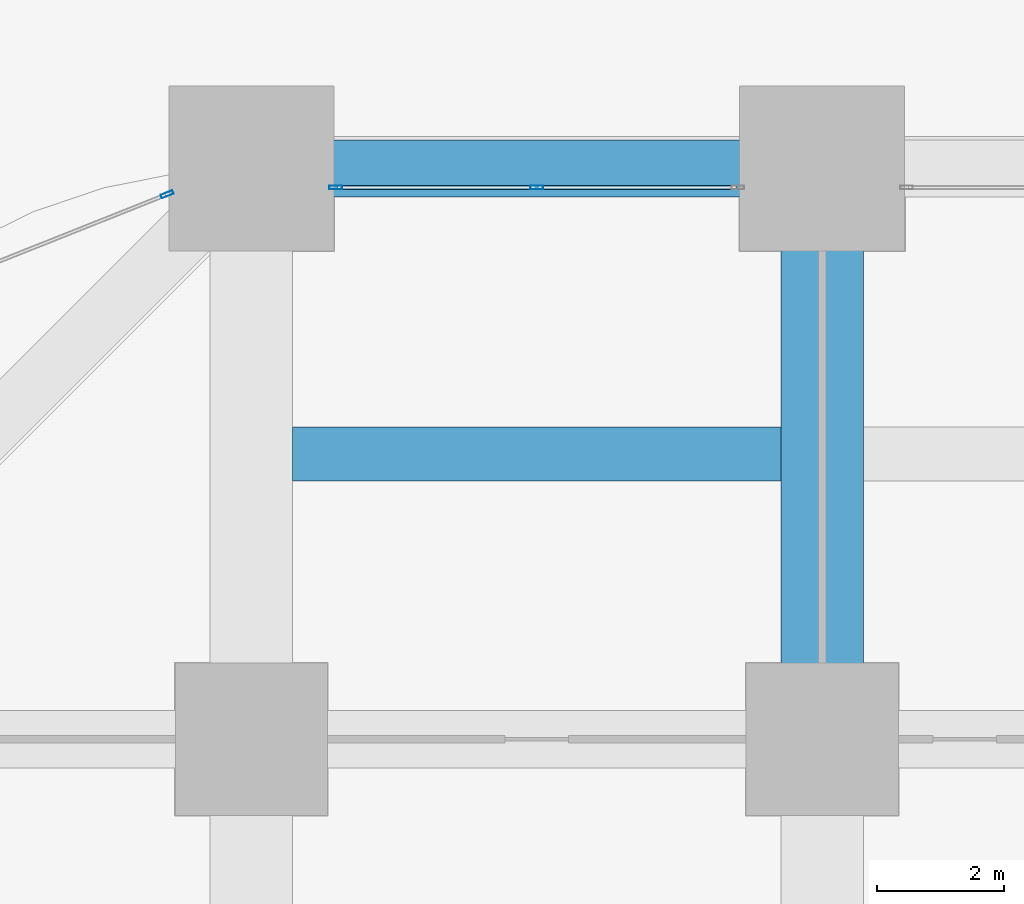
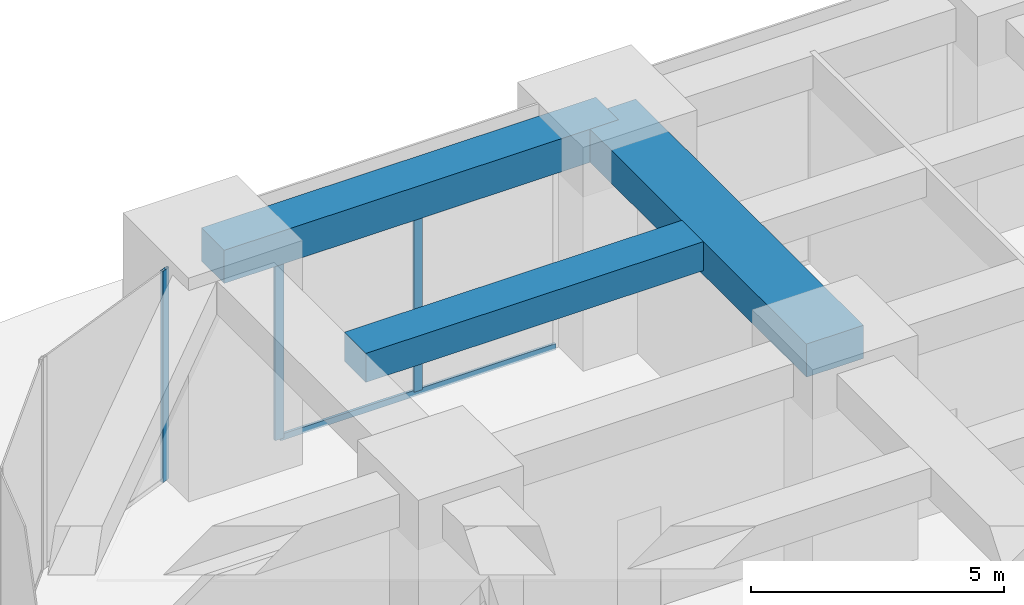
# One storey, part 22 of 56: 4 members, 3 beams, 2 elements without a shape of their own.
"""IFC4 building model written with IfcOpenShell, lengths in metres."""

from ifc_helpers import new_model, si_unit, direction, frame, origin, origin_2d, place, context, subcontext, project, spatial, rectangle, hollow_rectangle, extrude, material, material_profile, profile_set, type_object, element, aggregate, save


model = new_model("IFC4")

# Units and contexts
model_context = context("Model", 3, precision=1e-05, world=origin(), true_north=direction((0.0, 1.0)))
body_context = subcontext(model_context, "Body", "Model", "MODEL_VIEW")
ifc_project = project(units=[si_unit("LENGTHUNIT", "METRE"), si_unit("AREAUNIT", "SQUARE_METRE"), si_unit("VOLUMEUNIT", "CUBIC_METRE"), si_unit("PLANEANGLEUNIT", "RADIAN"), si_unit("MASSUNIT", "GRAM", prefix="KILO")], contexts=[model_context])

# Site, building, storey
site_placement = place(None, origin())
site = spatial("IfcSite", under=ifc_project, at=site_placement, CompositionType="ELEMENT")
building_placement = place(site_placement, origin())
building = spatial("IfcBuilding", under=site, at=building_placement, Name="Zorevar Civic Tower", CompositionType="ELEMENT")
storey_placement = place(building_placement, origin())
storey = spatial("IfcBuildingStorey", under=building, at=storey_placement, Name="L00", CompositionType="ELEMENT", Elevation=0.0)

# Beams
ifc_material_1 = material(Name="Concrete C50/60", Category="concrete")
ifc_material_profile_1 = material_profile(ifc_material_1, rectangle(XDim=1.300048828125, YDim=0.800048828125, at=origin_2d()), Name="RC 1300x800")
ifc_profile_set_1 = profile_set([ifc_material_profile_1], Name="Concrete C50/60")
beam_type_1 = type_object("IfcBeamType", Name="Beam RC 1300x800", PredefinedType="BEAM", material=ifc_profile_set_1)
beam_1_placement = place(storey_placement, frame((9.0, 45.0, 4.699951171875), z_axis=(0.0, 1.0, 0.0), x_axis=(-1.0, 0.0, 0.0)))
element("IfcBeam", 1, at=beam_1_placement, inside=storey, type_object=beam_type_1, Name="Girder L01", PredefinedType="BEAM", context=body_context, shape_type="SweptSolid", body=[
    extrude(rectangle(XDim=1.300048828125, YDim=0.800048828125, at=origin_2d()), origin(), (0.0, 0.0, 1.0), 9.0),
])
ifc_material_2 = material(Name="Concrete C50/60", Category="concrete")
ifc_material_profile_2 = material_profile(ifc_material_2, rectangle(XDim=0.85009765625, YDim=0.699951171875, at=origin_2d()), Name="RC 850x700")
ifc_profile_set_2 = profile_set([ifc_material_profile_2], Name="Concrete C50/60")
beam_type_2 = type_object("IfcBeamType", Name="Beam RC 850x700", PredefinedType="BEAM", material=ifc_profile_set_2)
beam_2_placement = place(storey_placement, frame((0.64990234375, 49.5, 4.75), z_axis=(1.0, 0.0, 0.0), x_axis=(0.0, 1.0, 0.0)))
element("IfcBeam", 2, at=beam_2_placement, inside=storey, type_object=beam_type_2, Name="Secondary beam L01", PredefinedType="BEAM", context=body_context, shape_type="SweptSolid", body=[
    extrude(rectangle(XDim=0.85009765625, YDim=0.699951171875, at=origin_2d()), origin(), (0.0, 0.0, 1.0), 7.7001953125),
])

# Curtain wall, members
ifc_material_3 = material(Name="Dark grey solar-control glass in black aluminium frame", Category="aluminium")
curtain_wall_type = type_object("IfcCurtainWallType", Name="Curtain wall CW1 podium", PredefinedType="NOTDEFINED", material=ifc_material_3)
curtain_wall_1_placement = place(storey_placement, origin())
curtain_wall_1 = element("IfcCurtainWall", 3, at=curtain_wall_1_placement, inside=storey, type_object=curtain_wall_type, Name="CW1 L00", PredefinedType="NOTDEFINED")
ifc_material_4 = material(Name="Aluminium, black anodised", Category="aluminium")
ifc_material_profile_3 = material_profile(ifc_material_4, hollow_rectangle(XDim=0.06005859375, YDim=0.199951171875, WallThickness=0.00390625, at=origin_2d()), Name="AL 200x60x4")
ifc_profile_set_3 = profile_set([ifc_material_profile_3], Name="Aluminium, black anodised")
member_type_1 = type_object("IfcMemberType", Name="CW1 mullion AL 200x60x4", PredefinedType="MULLION", material=ifc_profile_set_3)
member_1_placement = place(storey_placement, frame((1.330078125, 53.699951171875, 0.0), z_axis=(0.0, 0.0, 1.0), x_axis=(0.0, 1.0, 0.0)))
member_1 = element("IfcMember", 4, at=member_1_placement, type_object=member_type_1, Name="CW1 mullion 1", PredefinedType="MULLION", context=body_context, shape_type="SweptSolid", body=[
    extrude(hollow_rectangle(XDim=0.06005859375, YDim=0.199951171875, WallThickness=0.00390625, at=origin_2d()), origin(), (0.0, 0.0, 1.0), 4.300048828125),
])
member_2_placement = place(storey_placement, frame((4.5, 53.699951171875, 0.06005859375), z_axis=(0.0, 0.0, 1.0), x_axis=(0.0, 1.0, 0.0)))
member_2 = element("IfcMember", 5, at=member_2_placement, type_object=member_type_1, Name="CW1 mullion 2", PredefinedType="MULLION", context=body_context, shape_type="SweptSolid", body=[
    extrude(hollow_rectangle(XDim=0.06005859375, YDim=0.199951171875, WallThickness=0.00390625, at=origin_2d()), origin(), (0.0, 0.0, 1.0), 4.239990234375),
])

# Curtain wall, member
curtain_wall_2_placement = place(storey_placement, origin())
curtain_wall_2 = element("IfcCurtainWall", 6, at=curtain_wall_2_placement, inside=storey, type_object=curtain_wall_type, Name="CW1 L00", PredefinedType="NOTDEFINED")
member_3_placement = place(storey_placement, frame((-1.327880859375, 53.591064453125, 0.0), z_axis=(0.0, 0.0, 1.0), x_axis=(0.370110964218, -0.928987553289, 0.0)))
member_3 = element("IfcMember", 7, at=member_3_placement, type_object=member_type_1, Name="CW1 mullion 1", PredefinedType="MULLION", context=body_context, shape_type="SweptSolid", body=[
    extrude(hollow_rectangle(XDim=0.06005859375, YDim=0.199951171875, WallThickness=0.00390625, at=origin_2d()), origin(), (0.0, 0.0, 1.0), 5.10009765625),
])
aggregate(curtain_wall_2, [member_3])

# Member
ifc_material_5 = material(Name="Aluminium, black anodised", Category="aluminium")
ifc_material_profile_4 = material_profile(ifc_material_5, hollow_rectangle(XDim=0.06005859375, YDim=0.14990234375, WallThickness=0.00390625, at=origin_2d()), Name="AL 150x60x4")
ifc_profile_set_4 = profile_set([ifc_material_profile_4], Name="Aluminium, black anodised")
member_type_2 = type_object("IfcMemberType", Name="CW1 transom AL 150x60x4", PredefinedType="USERDEFINED", material=ifc_profile_set_4)
member_4_placement = place(storey_placement, frame((1.360107421875, 53.699951171875, 0.030029296875), z_axis=(1.0, 0.0, 0.0), x_axis=(0.0, 1.0, 0.0)))
member_4 = element("IfcMember", 8, at=member_4_placement, type_object=member_type_2, Name="CW1 sill transom", ObjectType="TRANSOM", PredefinedType="USERDEFINED", context=body_context, shape_type="SweptSolid", body=[
    extrude(hollow_rectangle(XDim=0.06005859375, YDim=0.14990234375, WallThickness=0.00390625, at=origin_2d()), origin(), (0.0, 0.0, 1.0), 6.27978515625),
])

aggregate(curtain_wall_1, [member_1, member_2, member_4])

# Beam
ifc_material_6 = material(Name="Concrete C50/60", Category="concrete")
ifc_material_profile_5 = material_profile(ifc_material_6, rectangle(XDim=0.89990234375, YDim=0.800048828125, at=origin_2d()), Name="RC 900x800")
ifc_profile_set_5 = profile_set([ifc_material_profile_5], Name="Concrete C50/60")
beam_type_3 = type_object("IfcBeamType", Name="Edge beam RC 900x800", PredefinedType="SPANDREL", material=ifc_profile_set_5)
beam_3_placement = place(storey_placement, frame((0.0, 54.0, 4.699951171875), z_axis=(1.0, 0.0, 0.0), x_axis=(0.0, 1.0, 0.0)))
element("IfcBeam", 9, at=beam_3_placement, inside=storey, type_object=beam_type_3, Name="Edge beam L01", PredefinedType="SPANDREL", context=body_context, shape_type="SweptSolid", body=[
    extrude(rectangle(XDim=0.89990234375, YDim=0.800048828125, at=origin_2d()), origin(), (0.0, 0.0, 1.0), 9.0),
])

save(model, "model.ifc")
